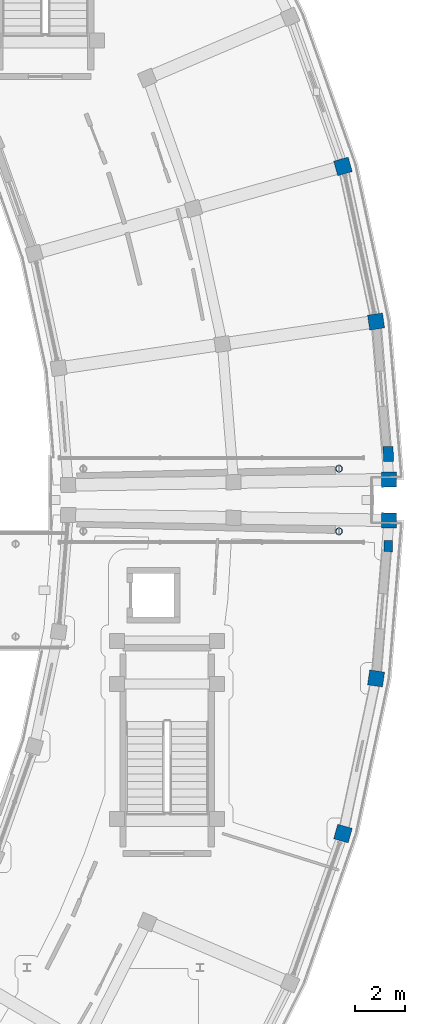
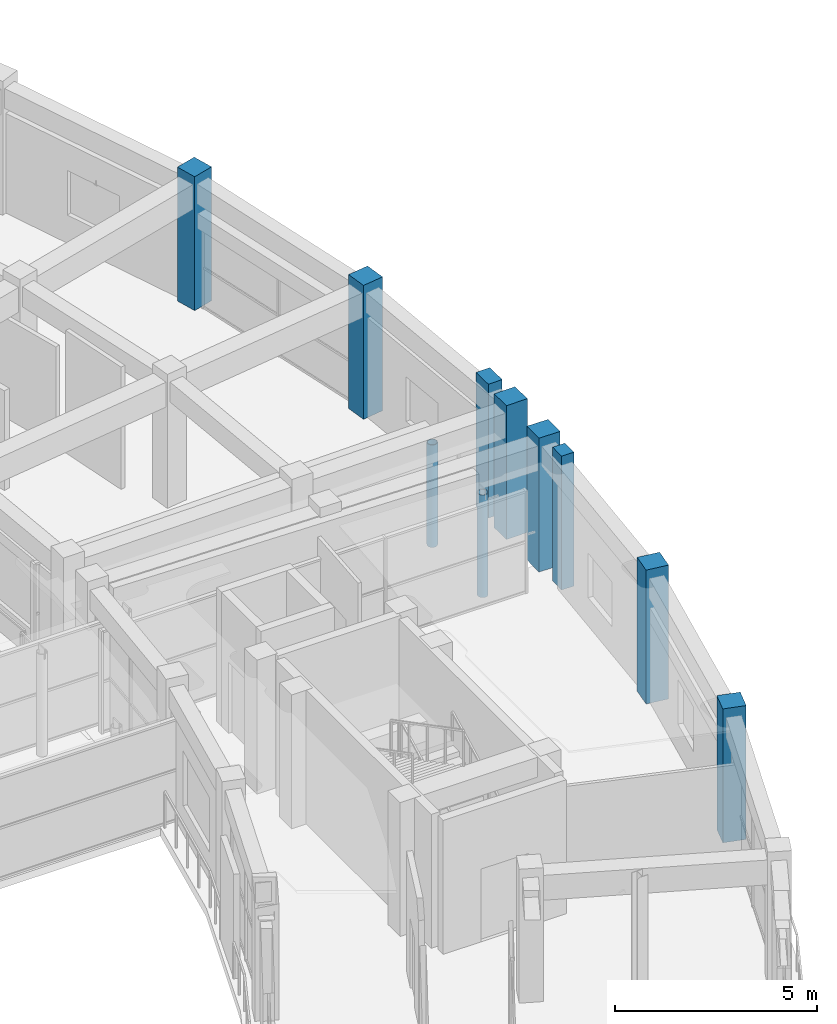
# One storey, part 7 of 53: 10 columns.
"""IFC4 building model written with IfcOpenShell, lengths in metres."""

from ifc_helpers import new_model, si_unit, direction, frame, origin, origin_2d, place, context, subcontext, project, spatial, rectangle, hollow_circle, extrude, material, material_profile, profile_set, type_object, element, save


model = new_model("IFC4")

# Units and contexts
model_context = context("Model", 3, precision=1e-05, world=origin(), true_north=direction((0.0, 1.0)))
body_context = subcontext(model_context, "Body", "Model", "MODEL_VIEW")
ifc_project = project(units=[si_unit("LENGTHUNIT", "METRE"), si_unit("AREAUNIT", "SQUARE_METRE"), si_unit("VOLUMEUNIT", "CUBIC_METRE"), si_unit("PLANEANGLEUNIT", "RADIAN"), si_unit("MASSUNIT", "GRAM", prefix="KILO")], contexts=[model_context])

# Site, building, storey
site_placement = place(None, origin())
site = spatial("IfcSite", under=ifc_project, at=site_placement, CompositionType="ELEMENT")
building_placement = place(site_placement, origin())
building = spatial("IfcBuilding", under=site, at=building_placement, Name="Saryqyr Civic Hall", CompositionType="ELEMENT")
storey_placement = place(building_placement, frame((0.0, 0.0, 21.300048828125)))
storey = spatial("IfcBuildingStorey", under=building, at=storey_placement, Name="L05", CompositionType="ELEMENT", Elevation=21.300048828125)

# Columns
ifc_material_1 = material(Name="Steel S355", Category="steel")
ifc_material_profile_1 = material_profile(ifc_material_1, hollow_circle(Radius=0.136474609375, WallThickness=0.01611328125, at=origin_2d()), Name="CHS 273x16")
ifc_profile_set_1 = profile_set([ifc_material_profile_1], Name="Steel S355")
column_type_1 = type_object("IfcColumnType", Name="STR-COL-CHS273-S355", PredefinedType="COLUMN", material=ifc_profile_set_1)
for number, where, z_axis, x_axis, name in (
    (1, (104.0, 82.75, 0.0), (0.0, 0.0, 1.0), (1.0, 0.0, 0.0), "Column BRCOL-BR-E-2-L05"),
    (2, (104.0, 85.25, 0.0), (0.0, 0.0, 1.0), (1.0, 0.0, 0.0), "Column BRCOL-BR-E-3-L05"),
):
    element("IfcColumn", number, at=place(storey_placement, frame(where, z_axis=z_axis, x_axis=x_axis)), inside=storey, type_object=column_type_1, Name=name, PredefinedType="COLUMN", context=body_context, shape_type="SweptSolid", body=[
        extrude(hollow_circle(Radius=0.136474609375, WallThickness=0.01611328125, at=origin_2d()), origin(), (0.0, 0.0, 1.0), 3.099853515625),
    ])
ifc_material_2 = material(Name="Concrete C40/50", Category="concrete")
ifc_material_profile_2 = material_profile(ifc_material_2, rectangle(XDim=0.60009765625, YDim=0.60009765625, at=origin_2d()), Name="RC 600x600")
ifc_profile_set_2 = profile_set([ifc_material_profile_2], Name="Concrete C40/50")
column_type_2 = type_object("IfcColumnType", Name="STR-COL-RC600-C40", PredefinedType="COLUMN", material=ifc_profile_set_2)
for number, where, z_axis, x_axis, name in (
    (3, (104.157958984375, 70.691162109375, 0.0), (0.0, 0.0, 1.0), (0.962407846499, -0.271608425858, 0.0), "Column V5-COL-OUT08-L05"),
    (4, (105.47998046875, 76.8798828125, 0.0), (0.0, 0.0, 1.0), (0.989374077068, -0.145392350643, 0.0), "Column V5-COL-OUT09-L05"),
    (5, (105.993408203125, 83.1875, 0.0), (0.0, 0.0, 1.0), (0.999862544538, -0.016579868188, 0.0), "Column V5-COL-OUT10-L05"),
    (6, (105.993408203125, 84.8125, 0.0), (0.0, 0.0, 1.0), (0.999862544538, 0.016579868188, 0.0), "Column V6-COL-OUT00-L05"),
    (7, (105.47998046875, 91.1201171875, 0.0), (0.0, 0.0, 1.0), (0.989399437751, 0.145219670077, 0.0), "Column V6-COL-OUT01-L05"),
    (8, (104.157958984375, 97.308837890625, 0.0), (0.0, 0.0, 1.0), (0.962407846499, 0.271608425858, 0.0), "Column V6-COL-OUT02-L05"),
):
    element("IfcColumn", number, at=place(storey_placement, frame(where, z_axis=z_axis, x_axis=x_axis)), inside=storey, type_object=column_type_2, Name=name, PredefinedType="COLUMN", context=body_context, shape_type="SweptSolid", body=[
        extrude(rectangle(XDim=0.60009765625, YDim=0.60009765625, at=origin_2d()), origin(), (0.0, 0.0, 1.0), 4.050048828125),
    ])
ifc_material_3 = material(Name="Concrete C35/45", Category="concrete")
ifc_material_profile_3 = material_profile(ifc_material_3, rectangle(XDim=0.35009765625, YDim=0.449951171875, at=origin_2d()), Name="RC 350x450")
ifc_profile_set_3 = profile_set([ifc_material_profile_3], Name="Concrete C35/45")
column_type_3 = type_object("IfcColumnType", Name="STR-PIL-RC350x450-EXT", PredefinedType="PILASTER", material=ifc_profile_set_3)
column_1_placement = place(storey_placement, frame((105.965576171875, 82.16162109375, 0.0), z_axis=(0.0, 0.0, 1.0), x_axis=(0.999862544538, -0.016579868188, 0.0)))
element("IfcColumn", 9, at=column_1_placement, inside=storey, type_object=column_type_3, Name="Column V5-PIL-10-L05", PredefinedType="PILASTER", context=body_context, shape_type="SweptSolid", body=[
    extrude(rectangle(XDim=0.35009765625, YDim=0.449951171875, at=origin_2d()), origin(), (0.0, 0.0, 1.0), 4.050048828125),
])
ifc_material_profile_4 = material_profile(ifc_material_2, rectangle(XDim=0.39990234375, YDim=0.60009765625, at=origin_2d()), Name="RC 400x600")
ifc_profile_set_4 = profile_set([ifc_material_profile_4], Name="Concrete C40/50")
column_type_4 = type_object("IfcColumnType", Name="STR-PIL-RC400x600-EXT", PredefinedType="PILASTER", material=ifc_profile_set_4)
column_2_placement = place(storey_placement, frame((105.965576171875, 85.83837890625, 0.0), z_axis=(0.0, 0.0, 1.0), x_axis=(0.999862544538, 0.016579868188, 0.0)))
element("IfcColumn", 10, at=column_2_placement, inside=storey, type_object=column_type_4, Name="Column V6-PIL-00-L05", PredefinedType="PILASTER", context=body_context, shape_type="SweptSolid", body=[
    extrude(rectangle(XDim=0.39990234375, YDim=0.60009765625, at=origin_2d()), origin(), (0.0, 0.0, 1.0), 4.050048828125),
])

save(model, "model.ifc")
